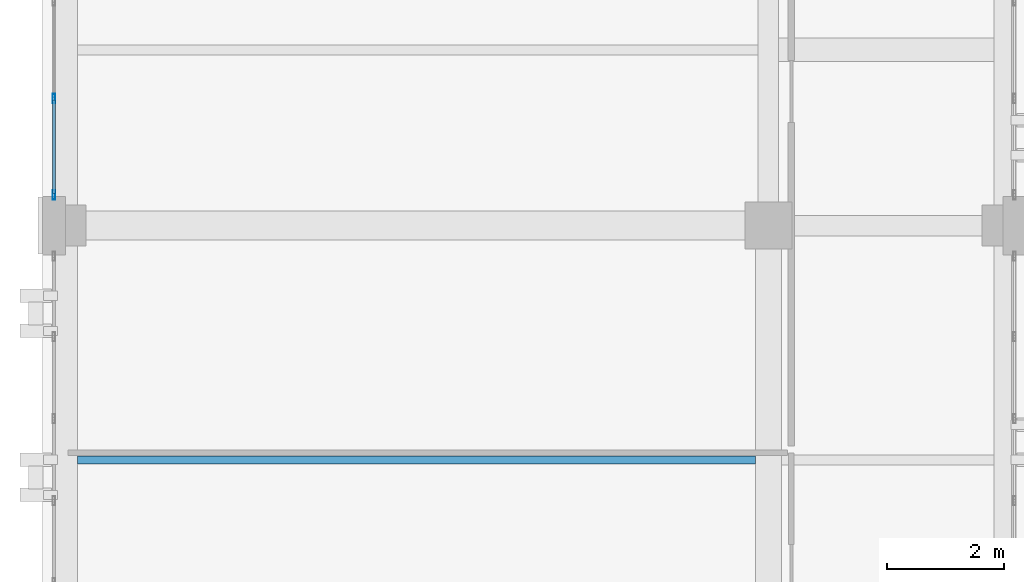
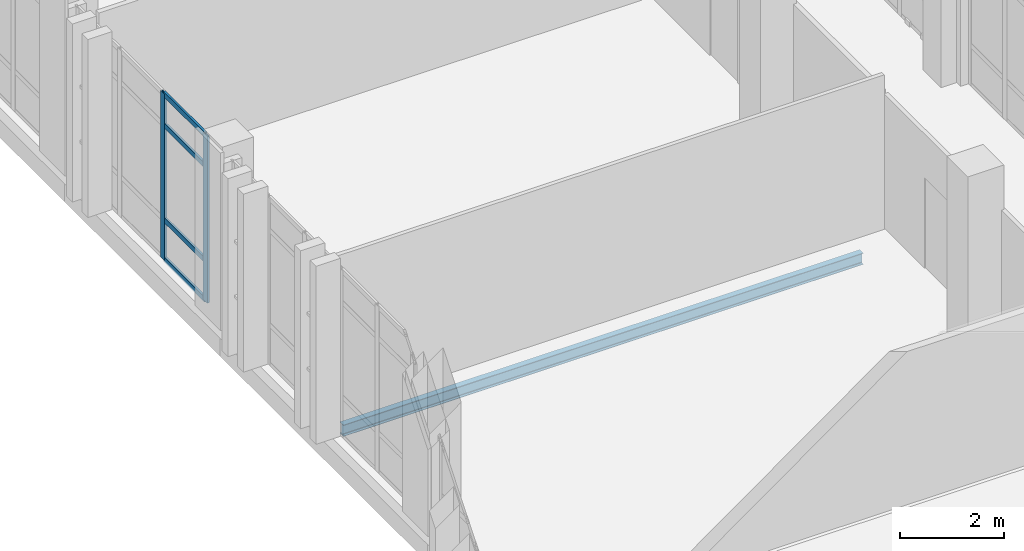
# One storey, part 65 of 158: 6 members, 1 beam, 1 element without a shape of its own.
"""IFC4 building model written with IfcOpenShell, lengths in metres."""

import ifcopenshell
import ifcopenshell.guid

model = None  # the IFC model being written
_history = None  # IfcOwnerHistory: only IFC2X3 demands one
_inside = {}  # id of a spatial element -> (the spatial element, [elements in it])
_under = {}  # id of a project, library or spatial element -> (it, [spatial elements below it])
_declared = {}  # id of a project -> (the project, [libraries it declares])
_typed = {}  # id of a type object -> (the type object, [elements of that type])
_made_of = {}  # id of a material, layer set ... -> (it, [elements and type objects made of it])


def new_model(schema):
    """Start an empty IFC model of exactly this schema.

    Asked for "IFC4X3", IfcOpenShell would pick the latest addendum, in which some entities
    have other attributes; the version numbers below select the first issue.
    IFC2X3 requires an IfcOwnerHistory on every rooted entity: one is made here for all.
    """
    global model, _history
    if schema == "IFC4X3":
        model = ifcopenshell.file(schema_version=(4, 3, 0, 0))
    else:
        model = ifcopenshell.file(schema=schema)
    _inside.clear()
    _under.clear()
    _declared.clear()
    _typed.clear()
    _made_of.clear()
    _history = None
    if model.schema == "IFC2X3":
        org = make("IfcOrganization", Name="unknown")
        user = make(
            "IfcPersonAndOrganization",
            ThePerson=make("IfcPerson", FamilyName="unknown"),
            TheOrganization=org,
        )
        app = make(
            "IfcApplication",
            ApplicationDeveloper=org,
            Version="unknown",
            ApplicationFullName="unknown",
            ApplicationIdentifier="unknown",
        )
        _history = make(
            "IfcOwnerHistory",
            OwningUser=user,
            OwningApplication=app,
            ChangeAction="ADDED",
            CreationDate=0,
        )
    return model


def make(cls, **values):
    """One entity of the class cls with the attributes given. An attribute that is None is left unset."""
    return model.create_entity(
        cls, **{name: value for name, value in values.items() if value is not None}
    )


def rooted(cls, **values):
    """An entity with a GlobalId (a new one), such as an element, a storey or a relation."""
    return make(cls, GlobalId=ifcopenshell.guid.new(), OwnerHistory=_history, **values)


def si_unit(unit_type, name, prefix=None):
    """IfcSIUnit, for example si_unit("LENGTHUNIT", "METRE", prefix="MILLI")."""
    return make("IfcSIUnit", UnitType=unit_type, Prefix=prefix, Name=name)


def assignment(units):
    """IfcUnitAssignment: the units of a project."""
    return None if units is None else make("IfcUnitAssignment", Units=units)


def point(xyz):
    """IfcCartesianPoint."""
    return None if xyz is None else make("IfcCartesianPoint", Coordinates=xyz)


def direction(xyz):
    """IfcDirection."""
    return None if xyz is None else make("IfcDirection", DirectionRatios=xyz)


def frame(location, z_axis=None, x_axis=None):
    """IfcAxis2Placement3D, a coordinate frame: its origin and axes. An axis left out is left unset."""
    return make(
        "IfcAxis2Placement3D",
        Location=point(location),
        Axis=direction(z_axis),
        RefDirection=direction(x_axis),
    )


def frame_2d(location, x_axis=None):
    """IfcAxis2Placement2D, a coordinate frame in the plane: its origin and x axis."""
    return make(
        "IfcAxis2Placement2D", Location=point(location), RefDirection=direction(x_axis)
    )


def origin():
    """The frame at (0, 0, 0) with its axes left unset."""
    return frame((0.0, 0.0, 0.0))


def origin_2d():
    """The frame at (0, 0) in the plane with its x axis left unset."""
    return frame_2d((0.0, 0.0))


def place(relative_to, where):
    """IfcLocalPlacement: puts the frame where relative to a parent placement (None: the world)."""
    return make(
        "IfcLocalPlacement", PlacementRelTo=relative_to, RelativePlacement=where
    )


def context(
    kind, dimensions, precision=None, world=None, true_north=None, identifier=None
):
    """IfcGeometricRepresentationContext, for example the 3D "Model" context."""
    return make(
        "IfcGeometricRepresentationContext",
        ContextIdentifier=identifier,
        ContextType=kind,
        CoordinateSpaceDimension=dimensions,
        Precision=precision,
        WorldCoordinateSystem=world,
        TrueNorth=true_north,
    )


def subcontext(parent, identifier, kind, view, scale=None):
    """IfcGeometricRepresentationSubContext, for example "Body" below "Model"."""
    return make(
        "IfcGeometricRepresentationSubContext",
        ContextIdentifier=identifier,
        ContextType=kind,
        ParentContext=parent,
        TargetScale=scale,
        TargetView=view,
    )


def project(units=None, contexts=None):
    """IfcProject with its units and contexts."""
    return rooted(
        "IfcProject",
        Name="project",
        RepresentationContexts=contexts,
        UnitsInContext=assignment(units),
    )


def spatial(cls, under=None, at=None, **own):
    """A site, building, storey or space (cls), placed at a placement, below another one or the project."""
    s = rooted(cls, ObjectPlacement=at, **own)
    if under is not None:
        _under.setdefault(under.id(), (under, []))[1].append(s)
    return s


def profile(cls, at=None, kind="AREA", **sizes):
    """A parametric profile (cls). Its sizes go by their IFC names, for example OverallWidth=200.0."""
    return make(cls, ProfileType=kind, Position=at, **sizes)


def hollow_rectangle(**sizes):
    """IfcRectangleHollowProfileDef."""
    return profile("IfcRectangleHollowProfileDef", **sizes)


def i_section(**sizes):
    """IfcIShapeProfileDef."""
    return profile("IfcIShapeProfileDef", **sizes)


def extrude(swept, where, along, depth):
    """IfcExtrudedAreaSolid: the profile swept, set in the frame where, extruded along a direction by depth."""
    return make(
        "IfcExtrudedAreaSolid",
        SweptArea=swept,
        Position=where,
        ExtrudedDirection=direction(along),
        Depth=depth,
    )


def shape(context_of_items, identifier, shape_type, items):
    """IfcShapeRepresentation: the items that make up one representation, for example the "Body"."""
    return make(
        "IfcShapeRepresentation",
        ContextOfItems=context_of_items,
        RepresentationIdentifier=identifier,
        RepresentationType=shape_type,
        Items=items,
    )


def material(Name=None, Category=None):
    """IfcMaterial."""
    return make("IfcMaterial", Name=Name, Category=Category)


def layer(
    of_material, thickness, ventilated=None, Name=None, Category=None, Priority=None
):
    """IfcMaterialLayer: one layer of a wall or slab, of a material (None: an air gap)."""
    return make(
        "IfcMaterialLayer",
        Material=of_material,
        LayerThickness=thickness,
        IsVentilated=ventilated,
        Name=Name,
        Category=Category,
        Priority=Priority,
    )


def layer_set(layers, Name=None):
    """IfcMaterialLayerSet."""
    return make("IfcMaterialLayerSet", MaterialLayers=layers, LayerSetName=Name)


def material_profile(
    of_material, cross_section, Name=None, Category=None, Priority=None
):
    """IfcMaterialProfile: a cross section and its material."""
    return make(
        "IfcMaterialProfile",
        Name=Name,
        Material=of_material,
        Profile=cross_section,
        Priority=Priority,
        Category=Category,
    )


def profile_set(profiles, Name=None, composite=None):
    """IfcMaterialProfileSet."""
    return make(
        "IfcMaterialProfileSet",
        Name=Name,
        MaterialProfiles=profiles,
        CompositeProfile=composite,
    )


def made_of(thing, what):
    """Note that an element or type object is made of a material, layer set ...; save() writes the relation."""
    if what is not None:
        _made_of.setdefault(what.id(), (what, []))[1].append(thing)
    return thing


def type_object(cls, material=None, **own):
    """A type object (cls), such as IfcWallType, which elements share."""
    return made_of(rooted(cls, **own), material)


def element(
    cls,
    number,
    at=None,
    inside=None,
    cuts=None,
    type_object=None,
    material=None,
    context=None,
    identifier="Body",
    shape_type=None,
    held_by="IfcProductDefinitionShape",
    body=None,
    shapes=None,
    **own,
):
    """One element of the class cls, such as IfcWall. Its Tag is "e" and its number.

    at: its placement. inside: the storey or other place that contains it. cuts: it is an
    opening in that element (IfcRelVoidsElement). A single representation is given by context,
    identifier, shape_type and body (its items); several are given by shapes. held_by: the class
    of the entity that holds the representations. save() writes the other relations.
    """
    e = rooted(cls, Tag="e%d" % number, ObjectPlacement=at, **own)
    if body is not None:
        shapes = [shape(context, identifier, shape_type, body)]
    if shapes is not None:
        e.Representation = make(held_by, Representations=shapes)
    if inside is not None:
        _inside.setdefault(inside.id(), (inside, []))[1].append(e)
    if cuts is not None:
        rooted(
            "IfcRelVoidsElement", RelatingBuildingElement=cuts, RelatedOpeningElement=e
        )
    if type_object is not None:
        _typed.setdefault(type_object.id(), (type_object, []))[1].append(e)
    return made_of(e, material)


def aggregate(whole, parts):
    """IfcRelAggregates: a whole, such as a stair, and the parts it consists of."""
    return rooted("IfcRelAggregates", RelatingObject=whole, RelatedObjects=parts)


def save(model, path):
    """Write the relations noted so far, then the file.

    IfcRelAggregates (storeys below a building ...), IfcRelContainedInSpatialStructure (elements
    in a storey), IfcRelDefinesByType, IfcRelAssociatesMaterial and IfcRelDeclares: one each for
    every whole, place, type object, material and project.
    """
    for whole, parts in _under.values():
        aggregate(whole, parts)
    for where, things in _inside.values():
        rooted(
            "IfcRelContainedInSpatialStructure",
            RelatedElements=things,
            RelatingStructure=where,
        )
    for kind, things in _typed.values():
        rooted("IfcRelDefinesByType", RelatedObjects=things, RelatingType=kind)
    for what, things in _made_of.values():
        rooted("IfcRelAssociatesMaterial", RelatedObjects=things, RelatingMaterial=what)
    for by, libraries in _declared.values():
        rooted("IfcRelDeclares", RelatingContext=by, RelatedDefinitions=libraries)
    model.write(path)


model = new_model("IFC4")

# Units and contexts
model_context = context("Model", 3, precision=1e-05, world=origin(), true_north=direction((0.0, 1.0)))
body_context = subcontext(model_context, "Body", "Model", "MODEL_VIEW")
ifc_project = project(units=[si_unit("LENGTHUNIT", "METRE"), si_unit("AREAUNIT", "SQUARE_METRE"), si_unit("VOLUMEUNIT", "CUBIC_METRE"), si_unit("PLANEANGLEUNIT", "RADIAN"), si_unit("MASSUNIT", "GRAM", prefix="KILO")], contexts=[model_context])

# Site, building, storey
site_placement = place(None, origin())
site = spatial("IfcSite", under=ifc_project, at=site_placement, CompositionType="ELEMENT")
building_placement = place(site_placement, origin())
building = spatial("IfcBuilding", under=site, at=building_placement, Name="Qalavern Law Courts", CompositionType="ELEMENT")
storey_placement = place(building_placement, frame((0.0, 0.0, 18.60009765625)))
storey = spatial("IfcBuildingStorey", under=building, at=storey_placement, Name="L04", CompositionType="ELEMENT", Elevation=18.60009765625)

# Curtain wall, members
ifc_material_1 = material(Name="Anodised aluminium and insulated glazing", Category="aluminium")
ifc_layer = layer(ifc_material_1, 0.159912109375)
ifc_layer_set = layer_set([ifc_layer], Name="Anodised aluminium and insulated glazing")
curtain_wall_type = type_object("IfcCurtainWallType", Name="ENV-CW-CHAMB", PredefinedType="USERDEFINED", material=ifc_layer_set)
curtain_wall_placement = place(storey_placement, origin())
curtain_wall = element("IfcCurtainWall", 1, at=curtain_wall_placement, inside=storey, type_object=curtain_wall_type, Name="V3 unitised curtain wall L04 west 3", ObjectType="UNITISED CURTAIN WALL", PredefinedType="USERDEFINED")
ifc_material_2 = material(Name="Anodised aluminium", Category="aluminium")
ifc_material_profile_1 = material_profile(ifc_material_2, hollow_rectangle(XDim=0.048095703125, YDim=0.159912109375, WallThickness=0.00390625, at=origin_2d()), Name="ALU MULLION 48x160")
ifc_profile_set_1 = profile_set([ifc_material_profile_1], Name="Anodised aluminium")
member_type_1 = type_object("IfcMemberType", Name="ENV-CWM-48x160", PredefinedType="MULLION", material=ifc_profile_set_1)
member_1_placement = place(storey_placement, frame((2.199951171875, 75.566650390625, 0.0), z_axis=(0.0, 0.0, 1.0), x_axis=(1.0, 0.0, 0.0)))
member_1 = element("IfcMember", 2, at=member_1_placement, type_object=member_type_1, Name="CW-04 mullion 3", PredefinedType="MULLION", context=body_context, shape_type="SweptSolid", body=[
    extrude(hollow_rectangle(XDim=0.048095703125, YDim=0.159912109375, WallThickness=0.00390625, at=origin_2d()), origin(), (0.0, 0.0, 1.0), 3.9248046875),
])
member_2_placement = place(storey_placement, frame((2.199951171875, 73.924072265625, 0.0), z_axis=(0.0, 0.0, 1.0), x_axis=(1.0, 0.0, 0.0)))
member_2 = element("IfcMember", 3, at=member_2_placement, type_object=member_type_1, Name="CW-04 mullion 4", PredefinedType="MULLION", context=body_context, shape_type="SweptSolid", body=[
    extrude(hollow_rectangle(XDim=0.048095703125, YDim=0.159912109375, WallThickness=0.00390625, at=origin_2d()), origin(), (0.0, 0.0, 1.0), 3.9248046875),
])
ifc_material_profile_2 = material_profile(ifc_material_2, hollow_rectangle(XDim=0.048095703125, YDim=0.1201171875, WallThickness=0.00390625, at=origin_2d()), Name="ALU TRANSOM 48x120")
ifc_profile_set_2 = profile_set([ifc_material_profile_2], Name="Anodised aluminium")
member_type_2 = type_object("IfcMemberType", Name="ENV-CWT-48x120", PredefinedType="USERDEFINED", material=ifc_profile_set_2)
member_3_placement = place(storey_placement, frame((2.199951171875, 75.542724609375, 0.02392578125), z_axis=(0.0, -1.0, 0.0), x_axis=(1.0, 0.0, 0.0)))
member_3 = element("IfcMember", 4, at=member_3_placement, type_object=member_type_2, Name="CW-04 transom 3.1", ObjectType="TRANSOM", PredefinedType="USERDEFINED", context=body_context, shape_type="SweptSolid", body=[
    extrude(hollow_rectangle(XDim=0.048095703125, YDim=0.1201171875, WallThickness=0.00390625, at=origin_2d()), origin(), (0.0, 0.0, 1.0), 1.5947265625),
])
member_4_placement = place(storey_placement, frame((2.199951171875, 75.542724609375, 0.949951171875), z_axis=(0.0, -1.0, 0.0), x_axis=(1.0, 0.0, 0.0)))
member_4 = element("IfcMember", 5, at=member_4_placement, type_object=member_type_2, Name="CW-04 transom 3.2", ObjectType="TRANSOM", PredefinedType="USERDEFINED", context=body_context, shape_type="SweptSolid", body=[
    extrude(hollow_rectangle(XDim=0.048095703125, YDim=0.1201171875, WallThickness=0.00390625, at=origin_2d()), origin(), (0.0, 0.0, 1.0), 1.5947265625),
])
member_5_placement = place(storey_placement, frame((2.199951171875, 75.542724609375, 3.1748046875), z_axis=(0.0, -1.0, 0.0), x_axis=(1.0, 0.0, 0.0)))
member_5 = element("IfcMember", 6, at=member_5_placement, type_object=member_type_2, Name="CW-04 transom 3.3", ObjectType="TRANSOM", PredefinedType="USERDEFINED", context=body_context, shape_type="SweptSolid", body=[
    extrude(hollow_rectangle(XDim=0.048095703125, YDim=0.1201171875, WallThickness=0.00390625, at=origin_2d()), origin(), (0.0, 0.0, 1.0), 1.5947265625),
])
member_6_placement = place(storey_placement, frame((2.199951171875, 75.542724609375, 3.90087890625), z_axis=(0.0, -1.0, 0.0), x_axis=(1.0, 0.0, 0.0)))
member_6 = element("IfcMember", 7, at=member_6_placement, type_object=member_type_2, Name="CW-04 transom 3.4", ObjectType="TRANSOM", PredefinedType="USERDEFINED", context=body_context, shape_type="SweptSolid", body=[
    extrude(hollow_rectangle(XDim=0.048095703125, YDim=0.1201171875, WallThickness=0.00390625, at=origin_2d()), origin(), (0.0, 0.0, 1.0), 1.5947265625),
])
aggregate(curtain_wall, [member_1, member_2, member_3, member_4, member_5, member_6])

# Beam
ifc_material_3 = material(Name="Steel S355", Category="steel")
ifc_material_profile_3 = material_profile(ifc_material_3, i_section(OverallWidth=0.135009765625, OverallDepth=0.27001953125, WebThickness=0.006591796875, FlangeThickness=0.01025390625, FilletRadius=0.014892578125, at=origin_2d()), Name="IPE 270")
ifc_profile_set_3 = profile_set([ifc_material_profile_3], Name="Steel S355")
beam_type = type_object("IfcBeamType", Name="STR-JST-IPE270", PredefinedType="JOIST", material=ifc_profile_set_3)
beam_placement = place(storey_placement, frame((2.597900390625, 69.39990234375, -0.4150390625), z_axis=(1.0, 0.0, 0.0), x_axis=(0.0, 1.0, 0.0)))
element("IfcBeam", 8, at=beam_placement, inside=storey, type_object=beam_type, Name="V3 secondary joist 1.4.1 L04", PredefinedType="JOIST", context=body_context, shape_type="SweptSolid", body=[
    extrude(i_section(OverallWidth=0.135009765625, OverallDepth=0.27001953125, WebThickness=0.006591796875, FlangeThickness=0.01025390625, FilletRadius=0.014892578125, at=origin_2d()), origin(), (0.0, 0.0, 1.0), 11.5791015625),
])

save(model, "model.ifc")
